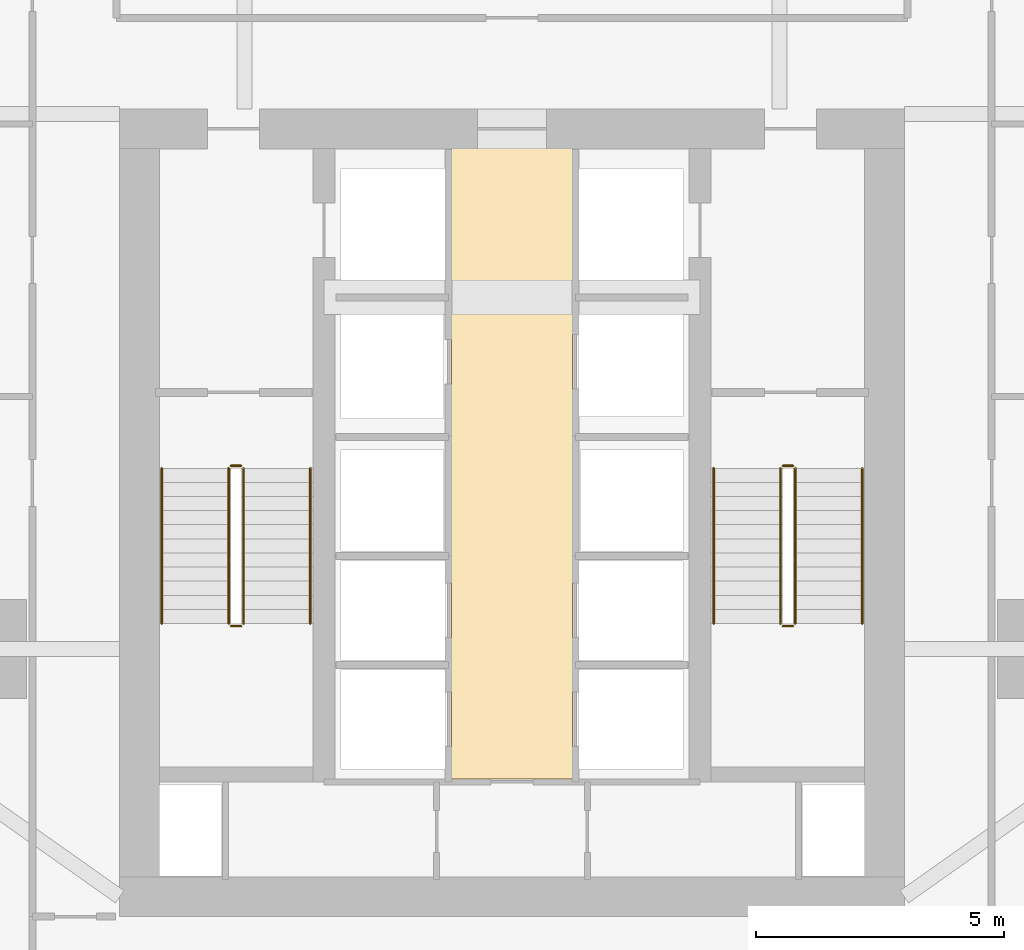
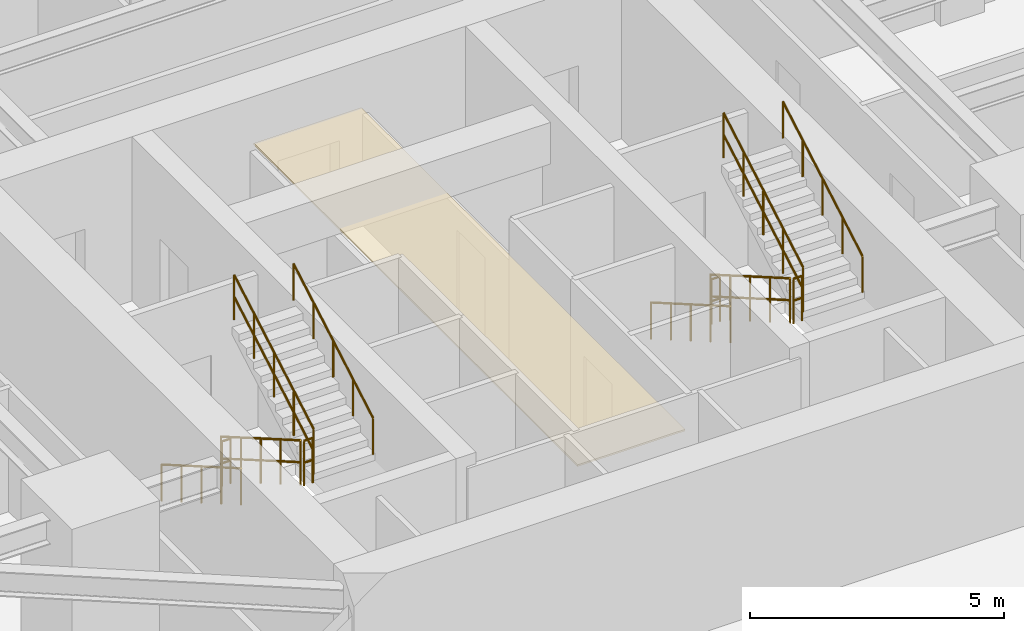
# One storey, part 25 of 26: 12 railings, 1 covering.
"""IFC4 building model written with IfcOpenShell, lengths in metres."""

from ifc_helpers import new_model, si_unit, direction, frame, origin, origin_2d, place, context, subcontext, project, spatial, polyline, circle, outline, extrude, material, layer, layer_set, type_object, element, save


model = new_model("IFC4")

# Units and contexts
model_context = context("Model", 3, precision=1e-05, world=origin(), true_north=direction((0.0, 1.0)))
body_context = subcontext(model_context, "Body", "Model", "MODEL_VIEW")
ifc_project = project(units=[si_unit("LENGTHUNIT", "METRE"), si_unit("AREAUNIT", "SQUARE_METRE"), si_unit("VOLUMEUNIT", "CUBIC_METRE"), si_unit("PLANEANGLEUNIT", "RADIAN"), si_unit("MASSUNIT", "GRAM", prefix="KILO")], contexts=[model_context])

# Site, building, storey
site_placement = place(None, origin())
site = spatial("IfcSite", under=ifc_project, at=site_placement, CompositionType="ELEMENT")
building_placement = place(site_placement, origin())
building = spatial("IfcBuilding", under=site, at=building_placement, Name="Krantzveldt Concourse Tower", CompositionType="ELEMENT")
storey_placement = place(building_placement, frame((0.0, 0.0, 109.800048828125)))
storey = spatial("IfcBuildingStorey", under=building, at=storey_placement, Name="L26", CompositionType="ELEMENT", Elevation=109.800048828125)

# Covering
ifc_material_1 = material(Name="Perforated acoustic mineral-fibre ceiling tile", Category="ceiling")
ifc_layer_1 = layer(ifc_material_1, 0.0400390625, Name="Perforated acoustic mineral-fibre ceiling tile", Category="ceiling")
ifc_layer_set_1 = layer_set([ifc_layer_1], Name="Perforated acoustic mineral-fibre ceiling tile (COV-CEIL-ACOUSTIC)")
covering_type = type_object("IfcCoveringType", Name="COV-CEIL-ACOUSTIC", PredefinedType="CEILING", material=ifc_layer_set_1)
covering_placement = place(storey_placement, frame((0.0, 0.0, 2.75)))
element("IfcCovering", 1, at=covering_placement, inside=storey, type_object=covering_type, Name="CLG-L26-LLB", PredefinedType="CEILING", context=body_context, shape_type="SweptSolid", body=[
    extrude(outline(polyline([(37.22509765625, 13.27490234375), (34.77490234375, 13.27490234375), (34.77490234375, 26.044921875), (37.22509765625, 26.044921875), (37.22509765625, 13.27490234375)])), origin(), (0.0, 0.0, 1.0), 0.0400390625),
])

# Railings
ifc_material_2 = material(Name="Stainless steel 316L", Category="steel")
ifc_layer_2 = layer(ifc_material_2, 0.06005859375, Name="Stainless steel 316L", Category="steel")
ifc_layer_set_2 = layer_set([ifc_layer_2], Name="Stainless steel 316L (RL-GUARD-1120)")
railing_type_1 = type_object("IfcRailingType", Name="RL-GUARD-1120", PredefinedType="GUARDRAIL", material=ifc_layer_set_2)
railing_1_placement = place(storey_placement, frame((30.280029296875, 19.550048828125, 0.16455078125)))
element("IfcRailing", 2, at=railing_1_placement, inside=storey, type_object=railing_type_1, Name="L26 ST-1 stair guard 1", PredefinedType="GUARDRAIL", context=body_context, shape_type="SweptSolid", body=[
    extrude(circle(Radius=0.02392578125, at=origin_2d()), frame((0.0, 0.0, 1.076171875), z_axis=(0.0, -0.865989039225, 0.500062979975), x_axis=(1.0, 0.0, 0.0)), (0.0, 0.0, 1.0), 3.6201171875),
    extrude(circle(Radius=0.02392578125, at=origin_2d()), frame((0.0, 0.0, 0.550048828125), z_axis=(0.0, -0.865989039225, 0.500062979975), x_axis=(1.0, 0.0, 0.0)), (0.0, 0.0, 1.0), 3.6201171875),
    extrude(circle(Radius=0.02099609375, at=origin_2d()), origin(), (0.0, 0.0, 1.0), 1.052001953125),
    extrude(circle(Radius=0.02099609375, at=origin_2d()), frame((0.0, -0.78369140625, 0.45263671875)), (0.0, 0.0, 1.0), 1.052001953125),
    extrude(circle(Radius=0.02099609375, at=origin_2d()), frame((0.0, -1.5673828125, 0.9052734375)), (0.0, 0.0, 1.0), 1.052001953125),
    extrude(circle(Radius=0.02099609375, at=origin_2d()), frame((0.0, -2.351318359375, 1.357666015625)), (0.0, 0.0, 1.0), 1.052001953125),
    extrude(circle(Radius=0.02099609375, at=origin_2d()), frame((0.0, -3.135009765625, 1.810302734375)), (0.0, 0.0, 1.0), 1.052001953125),
])
railing_2_placement = place(storey_placement, frame((30.330078125, 16.364990234375, 1.974853515625)))
element("IfcRailing", 3, at=railing_2_placement, inside=storey, type_object=railing_type_1, Name="L26 ST-1 stair guard 2", PredefinedType="GUARDRAIL", context=body_context, shape_type="SweptSolid", body=[
    extrude(circle(Radius=0.02392578125, at=origin_2d()), frame((0.0, 0.0, 1.076171875), z_axis=(1.0, 0.0, 0.0), x_axis=(0.0, 1.0, 0.0)), (0.0, 0.0, 1.0), 0.199951171875),
    extrude(circle(Radius=0.02392578125, at=origin_2d()), frame((0.0, 0.0, 0.550048828125), z_axis=(1.0, 0.0, 0.0), x_axis=(0.0, 1.0, 0.0)), (0.0, 0.0, 1.0), 0.199951171875),
    extrude(circle(Radius=0.02099609375, at=origin_2d()), origin(), (0.0, 0.0, 1.0), 1.052001953125),
    extrude(circle(Radius=0.02099609375, at=origin_2d()), frame((0.199951171875, 0.0, 0.0)), (0.0, 0.0, 1.0), 1.052001953125),
])
railing_3_placement = place(storey_placement, frame((30.580078125, 16.4150390625, 2.1396484375)))
element("IfcRailing", 4, at=railing_3_placement, inside=storey, type_object=railing_type_1, Name="L26 ST-1 stair guard 3", PredefinedType="GUARDRAIL", context=body_context, shape_type="SweptSolid", body=[
    extrude(circle(Radius=0.02392578125, at=origin_2d()), frame((0.0, 0.0, 1.076171875), z_axis=(0.0, 0.865989039225, 0.500062979975), x_axis=(-1.0, 0.0, 0.0)), (0.0, 0.0, 1.0), 3.6201171875),
    extrude(circle(Radius=0.02392578125, at=origin_2d()), frame((0.0, 0.0, 0.550048828125), z_axis=(0.0, 0.865989039225, 0.500062979975), x_axis=(-1.0, 0.0, 0.0)), (0.0, 0.0, 1.0), 3.6201171875),
    extrude(circle(Radius=0.02099609375, at=origin_2d()), origin(), (0.0, 0.0, 1.0), 1.052001953125),
    extrude(circle(Radius=0.02099609375, at=origin_2d()), frame((0.0, 0.78369140625, 0.45263671875)), (0.0, 0.0, 1.0), 1.052001953125),
    extrude(circle(Radius=0.02099609375, at=origin_2d()), frame((0.0, 1.5673828125, 0.9052734375)), (0.0, 0.0, 1.0), 1.052001953125),
    extrude(circle(Radius=0.02099609375, at=origin_2d()), frame((0.0, 2.351318359375, 1.357666015625)), (0.0, 0.0, 1.0), 1.052001953125),
    extrude(circle(Radius=0.02099609375, at=origin_2d()), frame((0.0, 3.135009765625, 1.810302734375)), (0.0, 0.0, 1.0), 1.052001953125),
])
railing_4_placement = place(storey_placement, frame((30.330078125, 19.60009765625, 0.0)))
element("IfcRailing", 5, at=railing_4_placement, inside=storey, type_object=railing_type_1, Name="L26 ST-1 stair guard 4", PredefinedType="GUARDRAIL", context=body_context, shape_type="SweptSolid", body=[
    extrude(circle(Radius=0.02392578125, at=origin_2d()), frame((0.0, 0.0, 1.076171875), z_axis=(1.0, 0.0, 0.0), x_axis=(0.0, 1.0, 0.0)), (0.0, 0.0, 1.0), 0.199951171875),
    extrude(circle(Radius=0.02392578125, at=origin_2d()), frame((0.0, 0.0, 0.550048828125), z_axis=(1.0, 0.0, 0.0), x_axis=(0.0, 1.0, 0.0)), (0.0, 0.0, 1.0), 0.199951171875),
    extrude(circle(Radius=0.02099609375, at=origin_2d()), origin(), (0.0, 0.0, 1.0), 1.052001953125),
    extrude(circle(Radius=0.02099609375, at=origin_2d()), frame((0.199951171875, 0.0, 0.0)), (0.0, 0.0, 1.0), 1.052001953125),
])
railing_5_placement = place(storey_placement, frame((41.419921875, 19.550048828125, 0.16455078125)))
element("IfcRailing", 6, at=railing_5_placement, inside=storey, type_object=railing_type_1, Name="L26 ST-2 stair guard 1", PredefinedType="GUARDRAIL", context=body_context, shape_type="SweptSolid", body=[
    extrude(circle(Radius=0.02392578125, at=origin_2d()), frame((0.0, 0.0, 1.076171875), z_axis=(0.0, -0.865989039225, 0.500062979975), x_axis=(1.0, 0.0, 0.0)), (0.0, 0.0, 1.0), 3.6201171875),
    extrude(circle(Radius=0.02392578125, at=origin_2d()), frame((0.0, 0.0, 0.550048828125), z_axis=(0.0, -0.865989039225, 0.500062979975), x_axis=(1.0, 0.0, 0.0)), (0.0, 0.0, 1.0), 3.6201171875),
    extrude(circle(Radius=0.02099609375, at=origin_2d()), origin(), (0.0, 0.0, 1.0), 1.052001953125),
    extrude(circle(Radius=0.02099609375, at=origin_2d()), frame((0.0, -0.78369140625, 0.45263671875)), (0.0, 0.0, 1.0), 1.052001953125),
    extrude(circle(Radius=0.02099609375, at=origin_2d()), frame((0.0, -1.5673828125, 0.9052734375)), (0.0, 0.0, 1.0), 1.052001953125),
    extrude(circle(Radius=0.02099609375, at=origin_2d()), frame((0.0, -2.351318359375, 1.357666015625)), (0.0, 0.0, 1.0), 1.052001953125),
    extrude(circle(Radius=0.02099609375, at=origin_2d()), frame((0.0, -3.135009765625, 1.810302734375)), (0.0, 0.0, 1.0), 1.052001953125),
])
railing_6_placement = place(storey_placement, frame((41.469970703125, 16.364990234375, 1.974853515625)))
element("IfcRailing", 7, at=railing_6_placement, inside=storey, type_object=railing_type_1, Name="L26 ST-2 stair guard 2", PredefinedType="GUARDRAIL", context=body_context, shape_type="SweptSolid", body=[
    extrude(circle(Radius=0.02392578125, at=origin_2d()), frame((0.0, 0.0, 1.076171875), z_axis=(1.0, 0.0, 0.0), x_axis=(0.0, 1.0, 0.0)), (0.0, 0.0, 1.0), 0.199951171875),
    extrude(circle(Radius=0.02392578125, at=origin_2d()), frame((0.0, 0.0, 0.550048828125), z_axis=(1.0, 0.0, 0.0), x_axis=(0.0, 1.0, 0.0)), (0.0, 0.0, 1.0), 0.199951171875),
    extrude(circle(Radius=0.02099609375, at=origin_2d()), origin(), (0.0, 0.0, 1.0), 1.052001953125),
    extrude(circle(Radius=0.02099609375, at=origin_2d()), frame((0.199951171875, 0.0, 0.0)), (0.0, 0.0, 1.0), 1.052001953125),
])
railing_7_placement = place(storey_placement, frame((41.719970703125, 16.4150390625, 2.1396484375)))
element("IfcRailing", 8, at=railing_7_placement, inside=storey, type_object=railing_type_1, Name="L26 ST-2 stair guard 3", PredefinedType="GUARDRAIL", context=body_context, shape_type="SweptSolid", body=[
    extrude(circle(Radius=0.02392578125, at=origin_2d()), frame((0.0, 0.0, 1.076171875), z_axis=(0.0, 0.865989039225, 0.500062979975), x_axis=(-1.0, 0.0, 0.0)), (0.0, 0.0, 1.0), 3.6201171875),
    extrude(circle(Radius=0.02392578125, at=origin_2d()), frame((0.0, 0.0, 0.550048828125), z_axis=(0.0, 0.865989039225, 0.500062979975), x_axis=(-1.0, 0.0, 0.0)), (0.0, 0.0, 1.0), 3.6201171875),
    extrude(circle(Radius=0.02099609375, at=origin_2d()), origin(), (0.0, 0.0, 1.0), 1.052001953125),
    extrude(circle(Radius=0.02099609375, at=origin_2d()), frame((0.0, 0.78369140625, 0.45263671875)), (0.0, 0.0, 1.0), 1.052001953125),
    extrude(circle(Radius=0.02099609375, at=origin_2d()), frame((0.0, 1.5673828125, 0.9052734375)), (0.0, 0.0, 1.0), 1.052001953125),
    extrude(circle(Radius=0.02099609375, at=origin_2d()), frame((0.0, 2.351318359375, 1.357666015625)), (0.0, 0.0, 1.0), 1.052001953125),
    extrude(circle(Radius=0.02099609375, at=origin_2d()), frame((0.0, 3.135009765625, 1.810302734375)), (0.0, 0.0, 1.0), 1.052001953125),
])
railing_8_placement = place(storey_placement, frame((41.469970703125, 19.60009765625, 0.0)))
element("IfcRailing", 9, at=railing_8_placement, inside=storey, type_object=railing_type_1, Name="L26 ST-2 stair guard 4", PredefinedType="GUARDRAIL", context=body_context, shape_type="SweptSolid", body=[
    extrude(circle(Radius=0.02392578125, at=origin_2d()), frame((0.0, 0.0, 1.076171875), z_axis=(1.0, 0.0, 0.0), x_axis=(0.0, 1.0, 0.0)), (0.0, 0.0, 1.0), 0.199951171875),
    extrude(circle(Radius=0.02392578125, at=origin_2d()), frame((0.0, 0.0, 0.550048828125), z_axis=(1.0, 0.0, 0.0), x_axis=(0.0, 1.0, 0.0)), (0.0, 0.0, 1.0), 0.199951171875),
    extrude(circle(Radius=0.02099609375, at=origin_2d()), origin(), (0.0, 0.0, 1.0), 1.052001953125),
    extrude(circle(Radius=0.02099609375, at=origin_2d()), frame((0.199951171875, 0.0, 0.0)), (0.0, 0.0, 1.0), 1.052001953125),
])
ifc_layer_3 = layer(ifc_material_2, 0.050048828125, Name="Stainless steel 316L", Category="steel")
ifc_layer_set_3 = layer_set([ifc_layer_3], Name="Stainless steel 316L (RL-HANDRAIL-920)")
railing_type_2 = type_object("IfcRailingType", Name="RL-HANDRAIL-920", PredefinedType="HANDRAIL", material=ifc_layer_set_3)
railing_9_placement = place(storey_placement, frame((28.929931640625, 19.550048828125, 0.16455078125)))
element("IfcRailing", 10, at=railing_9_placement, inside=storey, type_object=railing_type_2, Name="L26 ST-1 stair handrail 1", PredefinedType="HANDRAIL", context=body_context, shape_type="SweptSolid", body=[
    extrude(circle(Radius=0.02392578125, at=origin_2d()), frame((0.0, 0.0, 0.8759765625), z_axis=(0.0, -0.865989039225, 0.500062979975), x_axis=(1.0, 0.0, 0.0)), (0.0, 0.0, 1.0), 3.6201171875),
    extrude(circle(Radius=0.02099609375, at=origin_2d()), origin(), (0.0, 0.0, 1.0), 0.851806640625),
    extrude(circle(Radius=0.02099609375, at=origin_2d()), frame((0.0, -0.78369140625, 0.45263671875)), (0.0, 0.0, 1.0), 0.851806640625),
    extrude(circle(Radius=0.02099609375, at=origin_2d()), frame((0.0, -1.5673828125, 0.9052734375)), (0.0, 0.0, 1.0), 0.851806640625),
    extrude(circle(Radius=0.02099609375, at=origin_2d()), frame((0.0, -2.351318359375, 1.357666015625)), (0.0, 0.0, 1.0), 0.851806640625),
    extrude(circle(Radius=0.02099609375, at=origin_2d()), frame((0.0, -3.135009765625, 1.810302734375)), (0.0, 0.0, 1.0), 0.851806640625),
])
railing_10_placement = place(storey_placement, frame((31.929931640625, 16.4150390625, 2.1396484375)))
element("IfcRailing", 11, at=railing_10_placement, inside=storey, type_object=railing_type_2, Name="L26 ST-1 stair handrail 2", PredefinedType="HANDRAIL", context=body_context, shape_type="SweptSolid", body=[
    extrude(circle(Radius=0.02392578125, at=origin_2d()), frame((0.0, 0.0, 0.8759765625), z_axis=(0.0, 0.865989039225, 0.500062979975), x_axis=(-1.0, 0.0, 0.0)), (0.0, 0.0, 1.0), 3.6201171875),
    extrude(circle(Radius=0.02099609375, at=origin_2d()), origin(), (0.0, 0.0, 1.0), 0.851806640625),
    extrude(circle(Radius=0.02099609375, at=origin_2d()), frame((0.0, 0.78369140625, 0.45263671875)), (0.0, 0.0, 1.0), 0.851806640625),
    extrude(circle(Radius=0.02099609375, at=origin_2d()), frame((0.0, 1.5673828125, 0.9052734375)), (0.0, 0.0, 1.0), 0.851806640625),
    extrude(circle(Radius=0.02099609375, at=origin_2d()), frame((0.0, 2.351318359375, 1.357666015625)), (0.0, 0.0, 1.0), 0.851806640625),
    extrude(circle(Radius=0.02099609375, at=origin_2d()), frame((0.0, 3.135009765625, 1.810302734375)), (0.0, 0.0, 1.0), 0.851806640625),
])
railing_11_placement = place(storey_placement, frame((40.070068359375, 19.550048828125, 0.16455078125)))
element("IfcRailing", 12, at=railing_11_placement, inside=storey, type_object=railing_type_2, Name="L26 ST-2 stair handrail 1", PredefinedType="HANDRAIL", context=body_context, shape_type="SweptSolid", body=[
    extrude(circle(Radius=0.02392578125, at=origin_2d()), frame((0.0, 0.0, 0.8759765625), z_axis=(0.0, -0.865989039225, 0.500062979975), x_axis=(1.0, 0.0, 0.0)), (0.0, 0.0, 1.0), 3.6201171875),
    extrude(circle(Radius=0.02099609375, at=origin_2d()), origin(), (0.0, 0.0, 1.0), 0.851806640625),
    extrude(circle(Radius=0.02099609375, at=origin_2d()), frame((0.0, -0.78369140625, 0.45263671875)), (0.0, 0.0, 1.0), 0.851806640625),
    extrude(circle(Radius=0.02099609375, at=origin_2d()), frame((0.0, -1.5673828125, 0.9052734375)), (0.0, 0.0, 1.0), 0.851806640625),
    extrude(circle(Radius=0.02099609375, at=origin_2d()), frame((0.0, -2.351318359375, 1.357666015625)), (0.0, 0.0, 1.0), 0.851806640625),
    extrude(circle(Radius=0.02099609375, at=origin_2d()), frame((0.0, -3.135009765625, 1.810302734375)), (0.0, 0.0, 1.0), 0.851806640625),
])
railing_12_placement = place(storey_placement, frame((43.070068359375, 16.4150390625, 2.1396484375)))
element("IfcRailing", 13, at=railing_12_placement, inside=storey, type_object=railing_type_2, Name="L26 ST-2 stair handrail 2", PredefinedType="HANDRAIL", context=body_context, shape_type="SweptSolid", body=[
    extrude(circle(Radius=0.02392578125, at=origin_2d()), frame((0.0, 0.0, 0.8759765625), z_axis=(0.0, 0.865989039225, 0.500062979975), x_axis=(-1.0, 0.0, 0.0)), (0.0, 0.0, 1.0), 3.6201171875),
    extrude(circle(Radius=0.02099609375, at=origin_2d()), origin(), (0.0, 0.0, 1.0), 0.851806640625),
    extrude(circle(Radius=0.02099609375, at=origin_2d()), frame((0.0, 0.78369140625, 0.45263671875)), (0.0, 0.0, 1.0), 0.851806640625),
    extrude(circle(Radius=0.02099609375, at=origin_2d()), frame((0.0, 1.5673828125, 0.9052734375)), (0.0, 0.0, 1.0), 0.851806640625),
    extrude(circle(Radius=0.02099609375, at=origin_2d()), frame((0.0, 2.351318359375, 1.357666015625)), (0.0, 0.0, 1.0), 0.851806640625),
    extrude(circle(Radius=0.02099609375, at=origin_2d()), frame((0.0, 3.135009765625, 1.810302734375)), (0.0, 0.0, 1.0), 0.851806640625),
])

save(model, "model.ifc")
